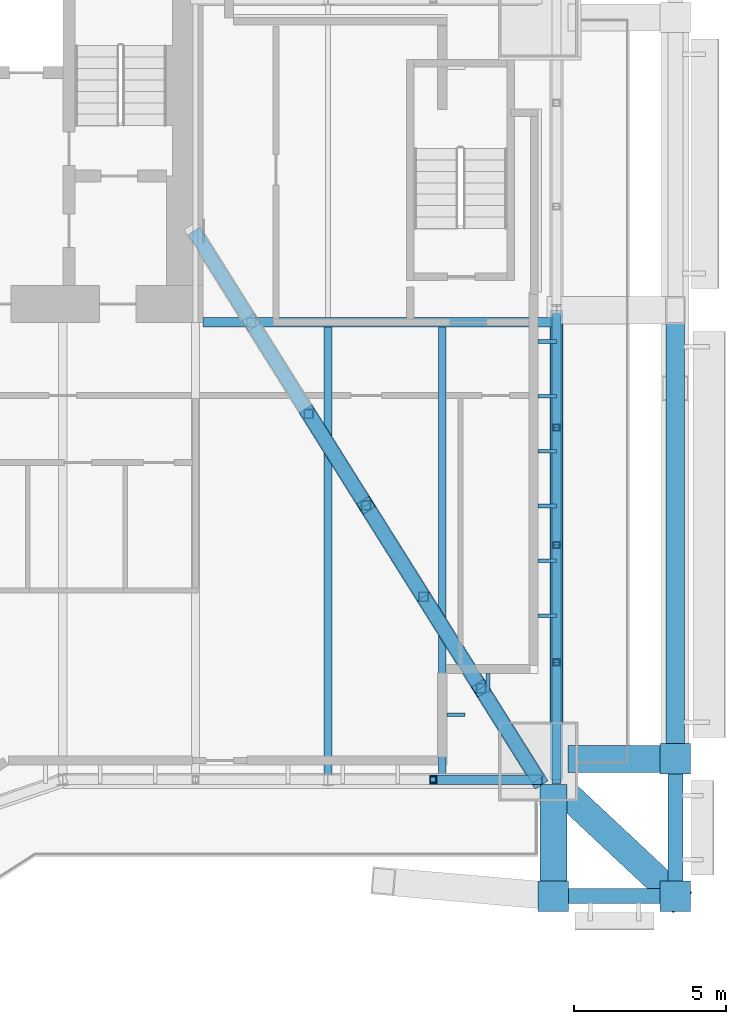
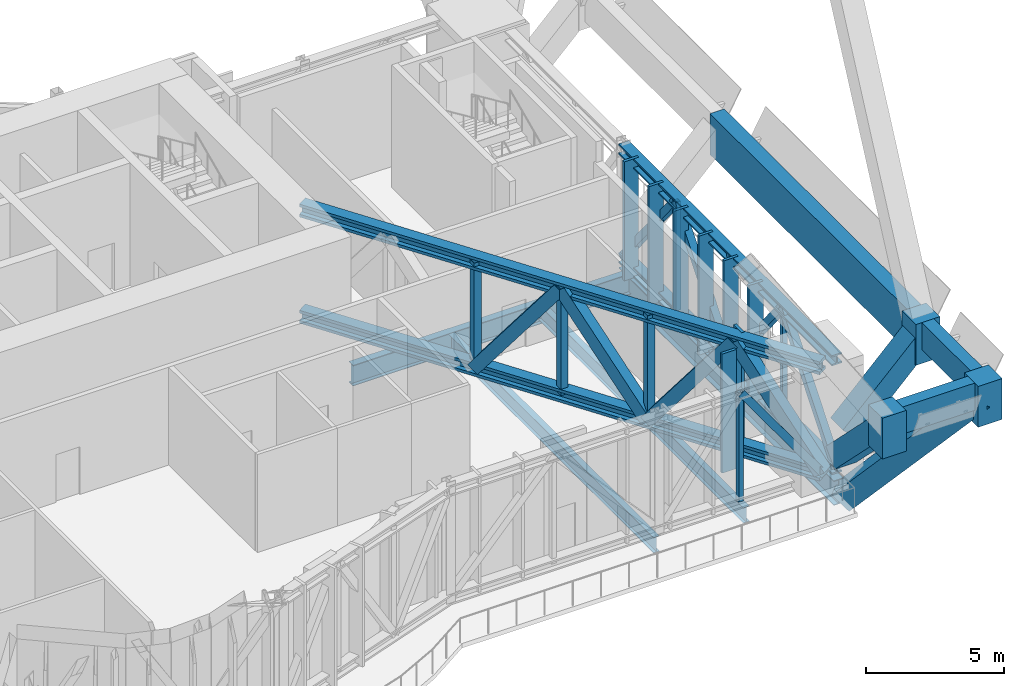
# One storey, part 14 of 31: 35 members, 7 beams, 1 element without a shape of its own.
"""IFC4 building model written with IfcOpenShell, lengths in metres."""

from ifc_helpers import new_model, si_unit, direction, frame, origin, origin_2d, place, context, subcontext, project, spatial, rectangle, hollow_rectangle, i_section, extrude, material, material_profile, profile_set, type_object, element, aggregate, save


model = new_model("IFC4")

# Units and contexts
model_context = context("Model", 3, precision=1e-05, world=origin(), true_north=direction((0.0, 1.0)))
body_context = subcontext(model_context, "Body", "Model", "MODEL_VIEW")
ifc_project = project(units=[si_unit("LENGTHUNIT", "METRE"), si_unit("AREAUNIT", "SQUARE_METRE"), si_unit("VOLUMEUNIT", "CUBIC_METRE"), si_unit("PLANEANGLEUNIT", "RADIAN"), si_unit("MASSUNIT", "GRAM", prefix="KILO")], contexts=[model_context])

# Site, building, storey
site_placement = place(None, origin())
site = spatial("IfcSite", under=ifc_project, at=site_placement, CompositionType="ELEMENT")
building_placement = place(site_placement, origin())
building = spatial("IfcBuilding", under=site, at=building_placement, Name="Bicima Exchange Tower", CompositionType="ELEMENT")
storey_placement = place(building_placement, frame((0.0, 0.0, 236.0)))
storey = spatial("IfcBuildingStorey", under=building, at=storey_placement, Name="L53", CompositionType="ELEMENT", Elevation=236.0)

# Curtain wall, members
ifc_material_1 = material(Name="Anodised bronze aluminium", Category="aluminium")
curtain_wall_type = type_object("IfcCurtainWallType", Name="Band blade screen", PredefinedType="NOTDEFINED", material=ifc_material_1)
curtain_wall_placement = place(storey_placement, origin())
curtain_wall = element("IfcCurtainWall", 1, at=curtain_wall_placement, inside=storey, type_object=curtain_wall_type, Name="Band blade screen L53", PredefinedType="NOTDEFINED")
ifc_material_profile_1 = material_profile(ifc_material_1, rectangle(XDim=0.60009765625, YDim=0.1201171875, at=origin_2d()))
ifc_profile_set_1 = profile_set([ifc_material_profile_1], Name="Anodised bronze aluminium")
member_type_1 = type_object("IfcMemberType", Name="Band blade fin 600 x 120", PredefinedType="USERDEFINED", material=ifc_profile_set_1)
member_1_placement = place(storey_placement, frame((33.300048828125, -22.628173828125, 0.0), z_axis=(0.0, 0.0, 1.0), x_axis=(-1.0, 0.0, 0.0)))
member_1 = element("IfcMember", 2, at=member_1_placement, type_object=member_type_1, Name="Band blade fin 1", ObjectType="FIN", PredefinedType="USERDEFINED", context=body_context, shape_type="SweptSolid", body=[
    extrude(rectangle(XDim=0.60009765625, YDim=0.1201171875, at=origin_2d()), origin(), (0.0, 0.0, 1.0), 5.25),
])
member_2_placement = place(storey_placement, frame((33.300048828125, -20.828125, 0.0), z_axis=(0.0, 0.0, 1.0), x_axis=(-1.0, 0.0, 0.0)))
member_2 = element("IfcMember", 3, at=member_2_placement, type_object=member_type_1, Name="Band blade fin 2", ObjectType="FIN", PredefinedType="USERDEFINED", context=body_context, shape_type="SweptSolid", body=[
    extrude(rectangle(XDim=0.60009765625, YDim=0.1201171875, at=origin_2d()), origin(), (0.0, 0.0, 1.0), 5.25),
])
member_3_placement = place(storey_placement, frame((33.300048828125, -19.028076171875, 0.0), z_axis=(0.0, 0.0, 1.0), x_axis=(-1.0, 0.0, 0.0)))
member_3 = element("IfcMember", 4, at=member_3_placement, type_object=member_type_1, Name="Band blade fin 3", ObjectType="FIN", PredefinedType="USERDEFINED", context=body_context, shape_type="SweptSolid", body=[
    extrude(rectangle(XDim=0.60009765625, YDim=0.1201171875, at=origin_2d()), origin(), (0.0, 0.0, 1.0), 5.25),
])
member_4_placement = place(storey_placement, frame((33.300048828125, -17.22802734375, 0.0), z_axis=(0.0, 0.0, 1.0), x_axis=(-1.0, 0.0, 0.0)))
member_4 = element("IfcMember", 5, at=member_4_placement, type_object=member_type_1, Name="Band blade fin 4", ObjectType="FIN", PredefinedType="USERDEFINED", context=body_context, shape_type="SweptSolid", body=[
    extrude(rectangle(XDim=0.60009765625, YDim=0.1201171875, at=origin_2d()), origin(), (0.0, 0.0, 1.0), 5.25),
])
member_5_placement = place(storey_placement, frame((33.300048828125, -15.427978515625, 0.0), z_axis=(0.0, 0.0, 1.0), x_axis=(-1.0, 0.0, 0.0)))
member_5 = element("IfcMember", 6, at=member_5_placement, type_object=member_type_1, Name="Band blade fin 5", ObjectType="FIN", PredefinedType="USERDEFINED", context=body_context, shape_type="SweptSolid", body=[
    extrude(rectangle(XDim=0.60009765625, YDim=0.1201171875, at=origin_2d()), origin(), (0.0, 0.0, 1.0), 5.25),
])
member_6_placement = place(storey_placement, frame((33.300048828125, -13.628173828125, 0.0), z_axis=(0.0, 0.0, 1.0), x_axis=(-1.0, 0.0, 0.0)))
member_6 = element("IfcMember", 7, at=member_6_placement, type_object=member_type_1, Name="Band blade fin 6", ObjectType="FIN", PredefinedType="USERDEFINED", context=body_context, shape_type="SweptSolid", body=[
    extrude(rectangle(XDim=0.60009765625, YDim=0.1201171875, at=origin_2d()), origin(), (0.0, 0.0, 1.0), 5.25),
])
member_7_placement = place(storey_placement, frame((30.300048828125, -25.882080078125, 0.0), z_axis=(0.0, 0.0, 1.0), x_axis=(-1.0, 0.0, 0.0)))
member_7 = element("IfcMember", 8, at=member_7_placement, type_object=member_type_1, Name="Band blade fin 51", ObjectType="FIN", PredefinedType="USERDEFINED", context=body_context, shape_type="SweptSolid", body=[
    extrude(rectangle(XDim=0.60009765625, YDim=0.1201171875, at=origin_2d()), origin(), (0.0, 0.0, 1.0), 5.25),
])
member_8_placement = place(storey_placement, frame((31.35009765625, -24.83203125, 0.0), z_axis=(0.0, 0.0, 1.0), x_axis=(0.0, 1.0, 0.0)))
member_8 = element("IfcMember", 9, at=member_8_placement, type_object=member_type_1, Name="Band blade fin 52", ObjectType="FIN", PredefinedType="USERDEFINED", context=body_context, shape_type="SweptSolid", body=[
    extrude(rectangle(XDim=0.60009765625, YDim=0.1201171875, at=origin_2d()), origin(), (0.0, 0.0, 1.0), 5.25),
])
aggregate(curtain_wall, [member_1, member_2, member_3, member_4, member_5, member_6, member_7, member_8])

# Beams
ifc_material_2 = material(Name="Steel ASTM A572 Gr 50", Category="steel")
ifc_material_profile_2 = material_profile(ifc_material_2, hollow_rectangle(XDim=0.5, YDim=1.199951171875, WallThickness=0.0400390625, at=origin_2d()))
ifc_profile_set_2 = profile_set([ifc_material_profile_2], Name="Steel ASTM A572 Gr 50")
beam_type_1 = type_object("IfcBeamType", Name="Belt girder BOX 500x1200x40", PredefinedType="BEAM", material=ifc_profile_set_2)
beam_1_placement = place(storey_placement, frame((33.5, -31.82861328125, 4.64990234375), z_axis=(1.0, 0.0, 0.0), x_axis=(0.0, 1.0, 0.0)))
element("IfcBeam", 10, at=beam_1_placement, inside=storey, type_object=beam_type_1, Name="Belt girder", PredefinedType="BEAM", context=body_context, shape_type="SweptSolid", body=[
    extrude(hollow_rectangle(XDim=0.5, YDim=1.199951171875, WallThickness=0.0400390625, at=origin_2d()), origin(), (0.0, 0.0, 1.0), 4.0),
])
beam_2_placement = place(storey_placement, frame((37.5, -31.82861328125, 4.64990234375), z_axis=(0.0, 1.0, 0.0), x_axis=(-1.0, 0.0, 0.0)))
element("IfcBeam", 11, at=beam_2_placement, inside=storey, type_object=beam_type_1, Name="Belt girder", PredefinedType="BEAM", context=body_context, shape_type="SweptSolid", body=[
    extrude(hollow_rectangle(XDim=0.5, YDim=1.199951171875, WallThickness=0.0400390625, at=origin_2d()), origin(), (0.0, 0.0, 1.0), 4.5),
])
ifc_material_profile_3 = material_profile(ifc_material_2, hollow_rectangle(XDim=0.60009765625, YDim=1.800048828125, WallThickness=0.06005859375, at=origin_2d()))
ifc_profile_set_3 = profile_set([ifc_material_profile_3], Name="Steel ASTM A572 Gr 50")
beam_type_2 = type_object("IfcBeamType", Name="Belt girder BOX 600x1800x60", PredefinedType="BEAM", material=ifc_profile_set_3)
beam_3_placement = place(storey_placement, frame((37.5, -27.32861328125, 4.35009765625), z_axis=(0.0, 1.0, 0.0), x_axis=(-1.0, 0.0, 0.0)))
element("IfcBeam", 12, at=beam_3_placement, inside=storey, type_object=beam_type_2, Name="Belt girder", PredefinedType="BEAM", context=body_context, shape_type="SweptSolid", body=[
    extrude(hollow_rectangle(XDim=0.60009765625, YDim=1.800048828125, WallThickness=0.06005859375, at=origin_2d()), origin(), (0.0, 0.0, 1.0), 14.728515625),
])

# Members
ifc_material_3 = material(Name="Steel ASTM A992 Gr 50", Category="steel")
ifc_material_profile_4 = material_profile(ifc_material_3, i_section(OverallWidth=0.419189453125, OverallDepth=0.45458984375, WebThickness=0.042236328125, FlangeThickness=0.067626953125, at=origin_2d()))
ifc_profile_set_4 = profile_set([ifc_material_profile_4], Name="Steel ASTM A992 Gr 50")
member_type_2 = type_object("IfcMemberType", Name="Belt truss chord W14x370", PredefinedType="CHORD", material=ifc_profile_set_4)
for number, where, z_axis, x_axis, name in (
    (13, (33.60009765625, -12.60009765625, 5.022705078125), (0.0, -1.0, 0.0), (1.0, 0.0, 0.0), "Top chord"),
    (14, (33.60009765625, -12.60009765625, 0.227294921875), (0.0, -1.0, 0.0), (1.0, 0.0, 0.0), "Bottom chord"),
):
    element("IfcMember", number, at=place(storey_placement, frame(where, z_axis=z_axis, x_axis=x_axis)), inside=storey, type_object=member_type_2, Name=name, PredefinedType="CHORD", context=body_context, shape_type="SweptSolid", body=[
        extrude(i_section(OverallWidth=0.419189453125, OverallDepth=0.45458984375, WebThickness=0.042236328125, FlangeThickness=0.067626953125, at=origin_2d()), origin(), (0.0, 0.0, 1.0), 15.409912109375),
    ])
ifc_material_profile_5 = material_profile(ifc_material_2, hollow_rectangle(XDim=0.3046875, YDim=0.3046875, WallThickness=0.01171875, at=origin_2d()))
ifc_profile_set_5 = profile_set([ifc_material_profile_5], Name="Steel ASTM A572 Gr 50")
member_type_3 = type_object("IfcMemberType", Name="Belt truss diagonal HSS12x12x1/2", PredefinedType="STRUT", material=ifc_profile_set_5)
member_9_placement = place(storey_placement, frame((29.550048828125, -28.010009765625, 5.022705078125), z_axis=(0.583998756388, 0.0, -0.811754551905), x_axis=(0.0, 1.0, 0.0)))
element("IfcMember", 15, at=member_9_placement, inside=storey, type_object=member_type_3, Name="Truss diagonal", PredefinedType="STRUT", context=body_context, shape_type="SweptSolid", body=[
    extrude(hollow_rectangle(XDim=0.3046875, YDim=0.3046875, WallThickness=0.01171875, at=origin_2d()), origin(), (0.0, 0.0, 1.0), 5.907470703125),
])
member_10_placement = place(storey_placement, frame((33.60009765625, -12.60009765625, 0.227294921875), z_axis=(0.0, -0.626276544329, 0.779600981286), x_axis=(1.0, 0.0, 0.0)))
element("IfcMember", 16, at=member_10_placement, inside=storey, type_object=member_type_3, Name="Truss diagonal", PredefinedType="STRUT", context=body_context, shape_type="SweptSolid", body=[
    extrude(hollow_rectangle(XDim=0.3046875, YDim=0.3046875, WallThickness=0.01171875, at=origin_2d()), origin(), (0.0, 0.0, 1.0), 6.151123046875),
])
for number, where, z_axis, x_axis, name in (
    (17, (33.60009765625, -16.452392578125, 5.022705078125), (0.0, -0.626300666436, -0.77958160267), (1.0, 0.0, 0.0), "Truss diagonal"),
    (18, (33.60009765625, -20.304931640625, 0.227294921875), (0.0, -0.626300666436, 0.77958160267), (1.0, 0.0, 0.0), "Truss diagonal"),
    (19, (33.60009765625, -24.157470703125, 5.022705078125), (0.0, -0.626300666436, -0.77958160267), (1.0, 0.0, 0.0), "Truss diagonal"),
):
    element("IfcMember", number, at=place(storey_placement, frame(where, z_axis=z_axis, x_axis=x_axis)), inside=storey, type_object=member_type_3, Name=name, PredefinedType="STRUT", context=body_context, shape_type="SweptSolid", body=[
        extrude(hollow_rectangle(XDim=0.3046875, YDim=0.3046875, WallThickness=0.01171875, at=origin_2d()), origin(), (0.0, 0.0, 1.0), 6.1513671875),
    ])
ifc_material_profile_6 = material_profile(ifc_material_2, hollow_rectangle(XDim=0.203125, YDim=0.203125, WallThickness=0.01171875, at=origin_2d()))
ifc_profile_set_6 = profile_set([ifc_material_profile_6], Name="Steel ASTM A572 Gr 50")
member_type_4 = type_object("IfcMemberType", Name="Belt truss post HSS8x8x1/2", PredefinedType="POST", material=ifc_profile_set_6)
for number, where, z_axis, x_axis, name in (
    (20, (29.550048828125, -28.010009765625, 0.227294921875), (0.0, 0.0, 1.0), (1.0, 0.0, 0.0), "Truss post"),
    (21, (33.60009765625, -16.452392578125, 0.227294921875), (0.0, 0.0, 1.0), (1.0, 0.0, 0.0), "Truss post"),
    (22, (33.60009765625, -20.304931640625, 0.227294921875), (0.0, 0.0, 1.0), (1.0, 0.0, 0.0), "Truss post"),
    (23, (33.60009765625, -24.157470703125, 0.227294921875), (0.0, 0.0, 1.0), (1.0, 0.0, 0.0), "Truss post"),
):
    element("IfcMember", number, at=place(storey_placement, frame(where, z_axis=z_axis, x_axis=x_axis)), inside=storey, type_object=member_type_4, Name=name, PredefinedType="POST", context=body_context, shape_type="SweptSolid", body=[
        extrude(hollow_rectangle(XDim=0.203125, YDim=0.203125, WallThickness=0.01171875, at=origin_2d()), origin(), (0.0, 0.0, 1.0), 4.79541015625),
    ])

# Beams
ifc_material_profile_7 = material_profile(ifc_material_3, i_section(OverallWidth=0.3046875, OverallDepth=0.911865234375, WebThickness=0.015869140625, FlangeThickness=0.02392578125, at=origin_2d()))
ifc_profile_set_7 = profile_set([ifc_material_profile_7], Name="Steel ASTM A992 Gr 50")
beam_type_3 = type_object("IfcBeamType", Name="Core-line girder W36x150", PredefinedType="BEAM", material=ifc_profile_set_7)
beam_4_placement = place(storey_placement, frame((22.0, -13.0, -0.656005859375), z_axis=(1.0, 0.0, 0.0), x_axis=(0.0, 1.0, 0.0)))
element("IfcBeam", 24, at=beam_4_placement, inside=storey, type_object=beam_type_3, Name="Core-line girder", PredefinedType="BEAM", context=body_context, shape_type="SweptSolid", body=[
    extrude(i_section(OverallWidth=0.3046875, OverallDepth=0.911865234375, WebThickness=0.015869140625, FlangeThickness=0.02392578125, at=origin_2d()), origin(), (0.0, 0.0, 1.0), 11.60009765625),
])
ifc_material_profile_8 = material_profile(ifc_material_3, i_section(OverallWidth=0.4013671875, OverallDepth=1.089599609375, WebThickness=0.01806640625, FlangeThickness=0.031005859375, at=origin_2d()))
ifc_profile_set_8 = profile_set([ifc_material_profile_8], Name="Steel ASTM A992 Gr 50")
beam_type_4 = type_object("IfcBeamType", Name="End girder W44x230", PredefinedType="BEAM", material=ifc_profile_set_8)
beam_5_placement = place(storey_placement, frame((33.60009765625, -12.60009765625, -0.744873046875), z_axis=(0.0, -1.0, 0.0), x_axis=(1.0, 0.0, 0.0)))
element("IfcBeam", 25, at=beam_5_placement, inside=storey, type_object=beam_type_4, Name="End girder", PredefinedType="BEAM", context=body_context, shape_type="SweptSolid", body=[
    extrude(i_section(OverallWidth=0.4013671875, OverallDepth=1.089599609375, WebThickness=0.01806640625, FlangeThickness=0.031005859375, at=origin_2d()), origin(), (0.0, 0.0, 1.0), 15.531982421875),
])

# Members
ifc_material_4 = material(Name="Cast steel ASTM A216 Gr WCB", Category="steel")
ifc_material_profile_9 = material_profile(ifc_material_4, rectangle(XDim=1.0, YDim=1.0, at=origin_2d()))
ifc_profile_set_9 = profile_set([ifc_material_profile_9], Name="Cast steel ASTM A216 Gr WCB")
member_type_5 = type_object("IfcMemberType", Name="Exo node block", PredefinedType="POST", material=ifc_profile_set_9)
for number, where, z_axis, x_axis, name in (
    (26, (33.5, -31.82861328125, 3.449951171875), (0.0, 0.0, 1.0), (1.0, 0.0, 0.0), "Exo node block"),
    (27, (37.5, -31.82861328125, 3.449951171875), (0.0, 0.0, 1.0), (1.0, 0.0, 0.0), "Exo node block"),
    (28, (37.5, -27.32861328125, 3.449951171875), (0.0, 0.0, 1.0), (1.0, 0.0, 0.0), "Exo node block"),
):
    element("IfcMember", number, at=place(storey_placement, frame(where, z_axis=z_axis, x_axis=x_axis)), inside=storey, type_object=member_type_5, Name=name, PredefinedType="POST", context=body_context, shape_type="SweptSolid", body=[
        extrude(rectangle(XDim=1.0, YDim=1.0, at=origin_2d()), origin(), (0.0, 0.0, 1.0), 1.800048828125),
    ])
ifc_material_profile_10 = material_profile(ifc_material_2, hollow_rectangle(XDim=0.89990234375, YDim=0.89990234375, WallThickness=0.050048828125, at=origin_2d()))
ifc_profile_set_10 = profile_set([ifc_material_profile_10], Name="Steel ASTM A572 Gr 50")
member_type_6 = type_object("IfcMemberType", Name="Exo outrigger stub BOX 900x900x50", PredefinedType="STRUT", material=ifc_profile_set_10)
member_11_placement = place(storey_placement, frame((33.5, -28.47998046875, 1.1513671875), z_axis=(0.0, -0.707106781187, 0.707106781187), x_axis=(1.0, 0.0, 0.0)))
element("IfcMember", 29, at=member_11_placement, inside=storey, type_object=member_type_6, Name="Exo outrigger stub", PredefinedType="STRUT", context=body_context, shape_type="SweptSolid", body=[
    extrude(hollow_rectangle(XDim=0.89990234375, YDim=0.89990234375, WallThickness=0.050048828125, at=origin_2d()), origin(), (0.0, 0.0, 1.0), 4.735595703125),
])
member_12_placement = place(storey_placement, frame((33.70703125, -28.279541015625, -0.89453125), z_axis=(0.506479341854, -0.47391157264, 0.720337766324), x_axis=(0.683240404749, 0.730193501285, 0.0)))
element("IfcMember", 30, at=member_12_placement, inside=storey, type_object=member_type_6, Name="Exo outrigger stub", PredefinedType="STRUT", context=body_context, shape_type="SweptSolid", body=[
    extrude(hollow_rectangle(XDim=0.89990234375, YDim=0.89990234375, WallThickness=0.050048828125, at=origin_2d()), origin(), (0.0, 0.0, 1.0), 7.48876953125),
])
member_13_placement = place(storey_placement, frame((34.300048828125, -27.32861328125, 1.300048828125), z_axis=(0.707106781187, 0.0, 0.707106781187), x_axis=(0.0, 1.0, 0.0)))
element("IfcMember", 31, at=member_13_placement, inside=storey, type_object=member_type_6, Name="Exo outrigger stub", PredefinedType="STRUT", context=body_context, shape_type="SweptSolid", body=[
    extrude(hollow_rectangle(XDim=0.89990234375, YDim=0.89990234375, WallThickness=0.050048828125, at=origin_2d()), origin(), (0.0, 0.0, 1.0), 4.525390625),
])

# Beams
ifc_material_profile_11 = material_profile(ifc_material_3, i_section(OverallWidth=0.25390625, OverallDepth=0.67822265625, WebThickness=0.01171875, FlangeThickness=0.016357421875, at=origin_2d()))
ifc_profile_set_11 = profile_set([ifc_material_profile_11], Name="Steel ASTM A992 Gr 50")
beam_type_5 = type_object("IfcBeamType", Name="Floor beam W27x84", PredefinedType="JOIST", material=ifc_profile_set_11)
for number, where, z_axis, x_axis, name in (
    (32, (26.10009765625, -13.15234375, -0.5390625), (0.0, -1.0, 0.0), (1.0, 0.0, 0.0), "Floor beam"),
    (33, (29.85009765625, -13.15234375, -0.5390625), (0.0, -1.0, 0.0), (1.0, 0.0, 0.0), "Floor beam"),
):
    element("IfcBeam", number, at=place(storey_placement, frame(where, z_axis=z_axis, x_axis=x_axis)), inside=storey, type_object=beam_type_5, Name=name, PredefinedType="JOIST", context=body_context, shape_type="SweptSolid", body=[
        extrude(i_section(OverallWidth=0.25390625, OverallDepth=0.67822265625, WebThickness=0.01171875, FlangeThickness=0.016357421875, at=origin_2d()), origin(), (0.0, 0.0, 1.0), 14.817138671875),
    ])

# Members
ifc_material_profile_12 = material_profile(ifc_material_3, i_section(OverallWidth=0.45458984375, OverallDepth=0.56884765625, WebThickness=0.077880859375, FlangeThickness=0.124755859375, at=origin_2d()))
ifc_profile_set_12 = profile_set([ifc_material_profile_12], Name="Steel ASTM A992 Gr 50")
member_type_7 = type_object("IfcMemberType", Name="Outrigger truss chord W14x730", PredefinedType="CHORD", material=ifc_profile_set_12)
for number, where, z_axis, x_axis, name in (
    (34, (21.699951171875, -10.0, 4.965576171875), (0.531479277828, -0.847071294071, 0.0), (0.847071294071, 0.531479277828, 0.0), "Top chord"),
    (35, (21.699951171875, -10.0, 0.284423828125), (0.531479277828, -0.847071294071, 0.0), (0.847071294071, 0.531479277828, 0.0), "Bottom chord"),
):
    element("IfcMember", number, at=place(storey_placement, frame(where, z_axis=z_axis, x_axis=x_axis)), inside=storey, type_object=member_type_7, Name=name, PredefinedType="CHORD", context=body_context, shape_type="SweptSolid", body=[
        extrude(i_section(OverallWidth=0.45458984375, OverallDepth=0.56884765625, WebThickness=0.077880859375, FlangeThickness=0.124755859375, at=origin_2d()), origin(), (0.0, 0.0, 1.0), 21.261474609375),
    ])
ifc_material_profile_13 = material_profile(ifc_material_2, hollow_rectangle(XDim=0.508056640625, YDim=0.508056640625, WallThickness=0.017822265625, at=origin_2d()))
ifc_profile_set_13 = profile_set([ifc_material_profile_13], Name="Steel ASTM A572 Gr 50")
member_type_8 = type_object("IfcMemberType", Name="Outrigger truss diagonal HSS20x20x3/4", PredefinedType="STRUT", material=ifc_profile_set_13)
for number, where, z_axis, x_axis, name in (
    (36, (25.466796875, -16.00341796875, 0.284423828125), (0.320779497389, -0.51123452695, 0.797332911969), (0.847060245148, 0.531496887187, 0.0), "Truss diagonal"),
    (37, (27.35009765625, -19.0048828125, 4.965576171875), (0.32077267781, -0.511265241596, -0.797315961151), (0.847079707016, 0.531465869046, 0.0), "Truss diagonal"),
    (38, (29.2333984375, -22.006591796875, 0.284423828125), (0.32077267781, -0.511265241596, 0.797315961151), (0.847079707016, 0.531465869046, 0.0), "Truss diagonal"),
    (39, (31.11669921875, -25.00830078125, 4.965576171875), (0.32077267781, -0.511265241596, -0.797315961151), (0.847079707016, 0.531465869046, 0.0), "Truss diagonal"),
):
    element("IfcMember", number, at=place(storey_placement, frame(where, z_axis=z_axis, x_axis=x_axis)), inside=storey, type_object=member_type_8, Name=name, PredefinedType="STRUT", context=body_context, shape_type="SweptSolid", body=[
        extrude(hollow_rectangle(XDim=0.508056640625, YDim=0.508056640625, WallThickness=0.017822265625, at=origin_2d()), origin(), (0.0, 0.0, 1.0), 5.87109375),
    ])
member_type_9 = type_object("IfcMemberType", Name="Outrigger truss post HSS12x12x1/2", PredefinedType="POST", material=ifc_profile_set_5)
for number, where, z_axis, x_axis, name in (
    (40, (25.466796875, -16.00341796875, 0.284423828125), (0.0, 0.0, 1.0), (1.0, 0.0, 0.0), "Truss post"),
    (41, (27.35009765625, -19.0048828125, 0.284423828125), (0.0, 0.0, 1.0), (1.0, 0.0, 0.0), "Truss post"),
    (42, (29.2333984375, -22.006591796875, 0.284423828125), (0.0, 0.0, 1.0), (1.0, 0.0, 0.0), "Truss post"),
    (43, (31.11669921875, -25.00830078125, 0.284423828125), (0.0, 0.0, 1.0), (1.0, 0.0, 0.0), "Truss post"),
):
    element("IfcMember", number, at=place(storey_placement, frame(where, z_axis=z_axis, x_axis=x_axis)), inside=storey, type_object=member_type_9, Name=name, PredefinedType="POST", context=body_context, shape_type="SweptSolid", body=[
        extrude(hollow_rectangle(XDim=0.3046875, YDim=0.3046875, WallThickness=0.01171875, at=origin_2d()), origin(), (0.0, 0.0, 1.0), 4.68115234375),
    ])

save(model, "model.ifc")
